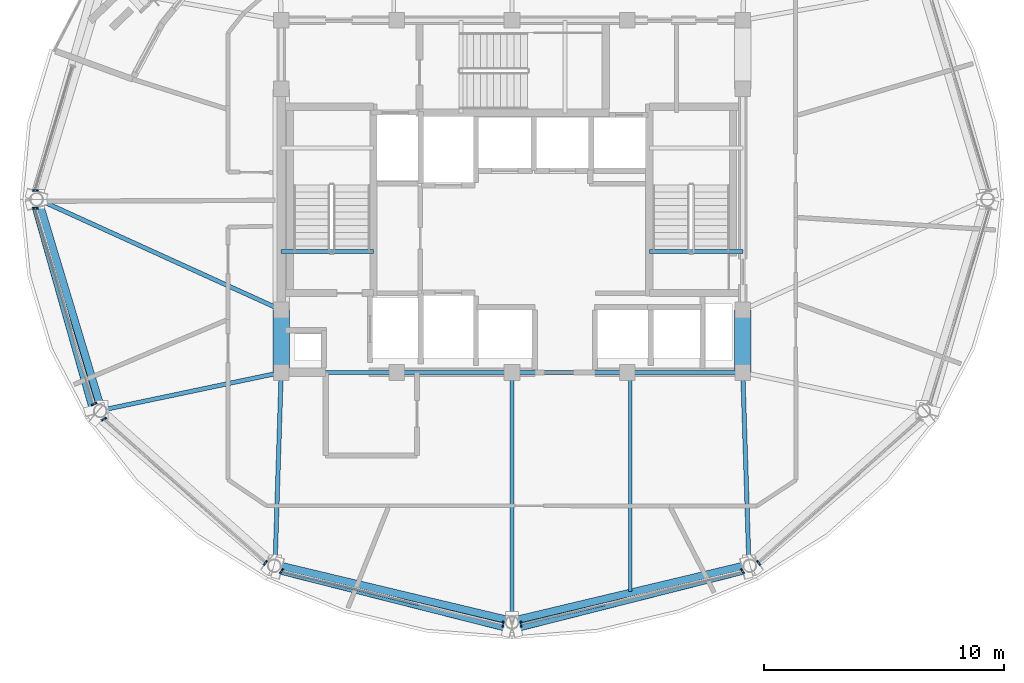
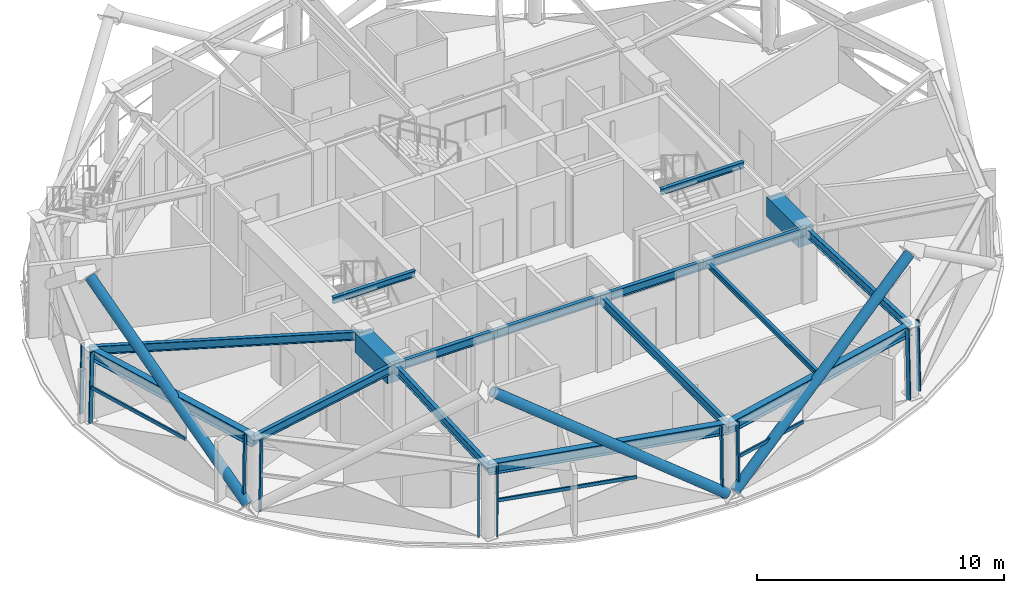
# One storey, part 2 of 16: 17 beams, 16 members, 6 elements without a shape of their own.
"""IFC4 building model written with IfcOpenShell, lengths in metres."""

from ifc_helpers import new_model, si_unit, direction, frame, origin, origin_2d, place, context, subcontext, project, spatial, rectangle, hollow_rectangle, hollow_circle, i_section, extrude, material, layer, layer_set, material_profile, profile_set, type_object, element, aggregate, save


model = new_model("IFC4")

# Units and contexts
model_context = context("Model", 3, precision=1e-05, world=origin(), true_north=direction((0.0, 1.0)))
body_context = subcontext(model_context, "Body", "Model", "MODEL_VIEW")
ifc_project = project(units=[si_unit("LENGTHUNIT", "METRE"), si_unit("AREAUNIT", "SQUARE_METRE"), si_unit("VOLUMEUNIT", "CUBIC_METRE"), si_unit("PLANEANGLEUNIT", "RADIAN"), si_unit("MASSUNIT", "GRAM", prefix="KILO")], contexts=[model_context])

# Site, building, storey
site_placement = place(None, origin())
site = spatial("IfcSite", under=ifc_project, at=site_placement, CompositionType="ELEMENT")
building_placement = place(site_placement, origin())
building = spatial("IfcBuilding", under=site, at=building_placement, Name="Vantalir Tower", CompositionType="ELEMENT")
storey_placement = place(building_placement, frame((0.0, 0.0, 267.60009765625)))
storey = spatial("IfcBuildingStorey", under=building, at=storey_placement, Name="L67", CompositionType="ELEMENT", Elevation=267.60009765625)

# Beams
ifc_material_1 = material(Name="Concrete C60/75", Category="concrete")
ifc_material_profile_1 = material_profile(ifc_material_1, rectangle(XDim=0.699951171875, YDim=0.949951171875, at=origin_2d()), Name="Concrete C60/75")
ifc_profile_set_1 = profile_set([ifc_material_profile_1], Name="Concrete C60/75")
beam_type_1 = type_object("IfcBeamType", Name="BM-CB-700x950", PredefinedType="USERDEFINED", material=ifc_profile_set_1)
for number, where, z_axis, x_axis, name in (
    (1, (41.10009765625, 17.800048828125, 3.094970703125), (0.0, 1.0, 0.0), (-1.0, 0.0, 0.0), "L67 Core Coupling Girder 05"),
    (2, (21.89990234375, 20.39990234375, 3.094970703125), (0.0, -1.0, 0.0), (1.0, 0.0, 0.0), "L67 Core Coupling Girder 14"),
):
    element("IfcBeam", number, at=place(storey_placement, frame(where, z_axis=z_axis, x_axis=x_axis)), inside=storey, type_object=beam_type_1, Name=name, ObjectType="GIRDER", PredefinedType="USERDEFINED", context=body_context, shape_type="SweptSolid", body=[
        extrude(rectangle(XDim=0.699951171875, YDim=0.949951171875, at=origin_2d()), origin(), (0.0, 0.0, 1.0), 2.599853515625),
    ])
ifc_material_2 = material(Name="Steel S355", Category="steel")
ifc_material_profile_2 = material_profile(ifc_material_2, i_section(OverallWidth=0.14599609375, OverallDepth=0.256103515625, WebThickness=0.00634765625, FlangeThickness=0.010986328125, at=origin_2d()), Name="Steel S355")
ifc_profile_set_2 = profile_set([ifc_material_profile_2], Name="Steel S355")
beam_type_2 = type_object("IfcBeamType", Name="BM-JS-254x146", PredefinedType="JOIST", material=ifc_profile_set_2)
beam_1_placement = place(storey_placement, frame((36.427001953125, 8.680908203125, 3.44189453125), z_axis=(0.0, 1.0, 0.0), x_axis=(-1.0, 0.0, 0.0)))
element("IfcBeam", 3, at=beam_1_placement, inside=storey, type_object=beam_type_2, Name="L67 Composite Trim Joist 02", PredefinedType="JOIST", context=body_context, shape_type="SweptSolid", body=[
    extrude(i_section(OverallWidth=0.14599609375, OverallDepth=0.256103515625, WebThickness=0.00634765625, FlangeThickness=0.010986328125, at=origin_2d()), origin(), (0.0, 0.0, 1.0), 9.073974609375),
])
ifc_material_profile_3 = material_profile(ifc_material_2, i_section(OverallWidth=0.166015625, OverallDepth=0.306884765625, WebThickness=0.006591796875, FlangeThickness=0.01171875, at=origin_2d()), Name="Steel S355")
ifc_profile_set_3 = profile_set([ifc_material_profile_3], Name="Steel S355")
beam_type_3 = type_object("IfcBeamType", Name="BM-JS-305x165", PredefinedType="JOIST", material=ifc_profile_set_3)
beam_2_placement = place(storey_placement, frame((21.89990234375, 22.8349609375, 3.595947265625), z_axis=(1.0, 0.0, 0.0), x_axis=(0.0, 1.0, 0.0)))
element("IfcBeam", 4, at=beam_2_placement, inside=storey, type_object=beam_type_3, Name="L68 Stair ST1 Well Nosing Trimmer Beam", PredefinedType="JOIST", context=body_context, shape_type="SweptSolid", body=[
    extrude(i_section(OverallWidth=0.166015625, OverallDepth=0.306884765625, WebThickness=0.006591796875, FlangeThickness=0.01171875, at=origin_2d()), origin(), (0.0, 0.0, 1.0), 3.840087890625),
])
beam_3_placement = place(storey_placement, frame((37.2099609375, 22.8349609375, 3.595947265625), z_axis=(1.0, 0.0, 0.0), x_axis=(0.0, 1.0, 0.0)))
element("IfcBeam", 5, at=beam_3_placement, inside=storey, type_object=beam_type_3, Name="L68 Stair ST2 Well Nosing Trimmer Beam", PredefinedType="JOIST", context=body_context, shape_type="SweptSolid", body=[
    extrude(i_section(OverallWidth=0.166015625, OverallDepth=0.306884765625, WebThickness=0.006591796875, FlangeThickness=0.01171875, at=origin_2d()), origin(), (0.0, 0.0, 1.0), 3.89013671875),
])
ifc_material_profile_4 = material_profile(ifc_material_2, i_section(OverallWidth=0.179931640625, OverallDepth=0.4130859375, WebThickness=0.009521484375, FlangeThickness=0.01611328125, at=origin_2d()), Name="Steel S355")
ifc_profile_set_4 = profile_set([ifc_material_profile_4], Name="Steel S355")
beam_type_4 = type_object("IfcBeamType", Name="BM-RB-406x178", PredefinedType="BEAM", material=ifc_profile_set_4)
for number, where, z_axis, x_axis, name in (
    (6, (21.89990234375, 17.800048828125, 3.364013671875), (1.0, 0.0, 0.0), (0.0, 1.0, 0.0), "L67 Core Coupling Girder 01"),
    (7, (26.699951171875, 17.800048828125, 3.364013671875), (1.0, 0.0, 0.0), (0.0, 1.0, 0.0), "L67 Core Coupling Girder 02"),
    (8, (31.5, 17.800048828125, 3.364013671875), (1.0, 0.0, 0.0), (0.0, 1.0, 0.0), "L67 Core Coupling Girder 03"),
    (9, (36.300048828125, 17.800048828125, 3.364013671875), (1.0, 0.0, 0.0), (0.0, 1.0, 0.0), "L67 Core Coupling Girder 04"),
):
    element("IfcBeam", number, at=place(storey_placement, frame(where, z_axis=z_axis, x_axis=x_axis)), inside=storey, type_object=beam_type_4, Name=name, PredefinedType="BEAM", context=body_context, shape_type="SweptSolid", body=[
        extrude(i_section(OverallWidth=0.179931640625, OverallDepth=0.4130859375, WebThickness=0.009521484375, FlangeThickness=0.01611328125, at=origin_2d()), origin(), (0.0, 0.0, 1.0), 4.800048828125),
    ])
beam_4_placement = place(storey_placement, frame((11.7900390625, 25.0, 3.364013671875), z_axis=(0.910206826308, -0.414153997134, 0.0), x_axis=(0.414153997134, 0.910206826308, 0.0)))
element("IfcBeam", 10, at=beam_4_placement, inside=storey, type_object=beam_type_4, Name="L67 Radial Floor Beam 07", PredefinedType="BEAM", context=body_context, shape_type="SweptSolid", body=[
    extrude(i_section(OverallWidth=0.179931640625, OverallDepth=0.4130859375, WebThickness=0.009521484375, FlangeThickness=0.01611328125, at=origin_2d()), origin(), (0.0, 0.0, 1.0), 11.107177734375),
])
beam_5_placement = place(storey_placement, frame((14.430908203125, 16.22998046875, 3.364013671875), z_axis=(0.978611850029, 0.205715451493, 0.0), x_axis=(-0.205715451493, 0.978611850029, 0.0)))
element("IfcBeam", 11, at=beam_5_placement, inside=storey, type_object=beam_type_4, Name="L67 Radial Floor Beam 08", PredefinedType="BEAM", context=body_context, shape_type="SweptSolid", body=[
    extrude(i_section(OverallWidth=0.179931640625, OverallDepth=0.4130859375, WebThickness=0.009521484375, FlangeThickness=0.01611328125, at=origin_2d()), origin(), (0.0, 0.0, 1.0), 7.63232421875),
])
beam_6_placement = place(storey_placement, frame((21.64501953125, 9.81103515625, 3.364013671875), z_axis=(0.031887940413, 0.999491450317, 0.0), x_axis=(-0.999491450317, 0.031887940413, 0.0)))
element("IfcBeam", 12, at=beam_6_placement, inside=storey, type_object=beam_type_4, Name="L67 Radial Floor Beam 09", PredefinedType="BEAM", context=body_context, shape_type="SweptSolid", body=[
    extrude(i_section(OverallWidth=0.179931640625, OverallDepth=0.4130859375, WebThickness=0.009521484375, FlangeThickness=0.01611328125, at=origin_2d()), origin(), (0.0, 0.0, 1.0), 7.9931640625),
])
beam_7_placement = place(storey_placement, frame((31.5, 7.4609375, 3.364013671875), z_axis=(0.0, 1.0, 0.0), x_axis=(-1.0, 0.0, 0.0)))
element("IfcBeam", 13, at=beam_7_placement, inside=storey, type_object=beam_type_4, Name="L67 Radial Floor Beam 10", PredefinedType="BEAM", context=body_context, shape_type="SweptSolid", body=[
    extrude(i_section(OverallWidth=0.179931640625, OverallDepth=0.4130859375, WebThickness=0.009521484375, FlangeThickness=0.01611328125, at=origin_2d()), origin(), (0.0, 0.0, 1.0), 10.339111328125),
])
beam_8_placement = place(storey_placement, frame((41.35498046875, 9.81103515625, 3.364013671875), z_axis=(-0.031887940413, 0.999491450317, 0.0), x_axis=(-0.999491450317, -0.031887940413, 0.0)))
element("IfcBeam", 14, at=beam_8_placement, inside=storey, type_object=beam_type_4, Name="L67 Radial Floor Beam 11", PredefinedType="BEAM", context=body_context, shape_type="SweptSolid", body=[
    extrude(i_section(OverallWidth=0.179931640625, OverallDepth=0.4130859375, WebThickness=0.009521484375, FlangeThickness=0.01611328125, at=origin_2d()), origin(), (0.0, 0.0, 1.0), 7.9931640625),
])
ifc_material_3 = material(Name="Steel S460", Category="steel")
ifc_material_profile_5 = material_profile(ifc_material_3, i_section(OverallWidth=0.31201171875, OverallDepth=0.5419921875, WebThickness=0.0126953125, FlangeThickness=0.020263671875, at=origin_2d()), Name="Steel S460")
ifc_profile_set_5 = profile_set([ifc_material_profile_5], Name="Steel S460")
beam_type_5 = type_object("IfcBeamType", Name="BM-RG-533x312", PredefinedType="USERDEFINED", material=ifc_profile_set_5)
beam_9_placement = place(storey_placement, frame((11.7900390625, 25.0, 3.298828125), z_axis=(0.288335708872, -0.957529382833, 0.0), x_axis=(0.957529382833, 0.288335708872, 0.0)))
element("IfcBeam", 15, at=beam_9_placement, inside=storey, type_object=beam_type_5, Name="L67 Circumferential Ring Girder 07", ObjectType="GIRDER", PredefinedType="USERDEFINED", context=body_context, shape_type="SweptSolid", body=[
    extrude(i_section(OverallWidth=0.31201171875, OverallDepth=0.5419921875, WebThickness=0.0126953125, FlangeThickness=0.020263671875, at=origin_2d()), origin(), (0.0, 0.0, 1.0), 9.158935546875),
])
for number, where, z_axis, x_axis, name in (
    (16, (21.64501953125, 9.81103515625, 3.298828125), (0.97272444979, -0.23196367125, 0.0), (0.23196367125, 0.97272444979, 0.0), "L67 Circumferential Ring Girder 09"),
    (17, (31.5, 7.4609375, 3.298828125), (0.97272444979, 0.23196367125, 0.0), (-0.23196367125, 0.97272444979, 0.0), "L67 Circumferential Ring Girder 10"),
):
    element("IfcBeam", number, at=place(storey_placement, frame(where, z_axis=z_axis, x_axis=x_axis)), inside=storey, type_object=beam_type_5, Name=name, ObjectType="GIRDER", PredefinedType="USERDEFINED", context=body_context, shape_type="SweptSolid", body=[
        extrude(i_section(OverallWidth=0.31201171875, OverallDepth=0.5419921875, WebThickness=0.0126953125, FlangeThickness=0.020263671875, at=origin_2d()), origin(), (0.0, 0.0, 1.0), 10.13134765625),
    ])

# Curtain wall, member
ifc_material_4 = material(Name="Champagne-silver PVDF aluminium and double-silver Low-E glass", Category="aluminium")
ifc_layer = layer(ifc_material_4, 0.219970703125)
ifc_layer_set = layer_set([ifc_layer], Name="Champagne-silver PVDF aluminium and double-silver Low-E glass")
curtain_wall_type = type_object("IfcCurtainWallType", Name="CW-DIAMOND-Z4", PredefinedType="USERDEFINED", material=ifc_layer_set)
curtain_wall_1_placement = place(storey_placement, origin())
curtain_wall_1 = element("IfcCurtainWall", 18, at=curtain_wall_1_placement, inside=storey, type_object=curtain_wall_type, Name="L67 Quilted Pyramid-Diamond Curtain Wall S06", ObjectType="UNITISED CURTAIN WALL", PredefinedType="USERDEFINED")
ifc_material_5 = material(Name="Champagne-silver PVDF aluminium 6063-T6", Category="aluminium")
ifc_material_profile_6 = material_profile(ifc_material_5, hollow_rectangle(XDim=0.070068359375, YDim=0.1650390625, WallThickness=0.00390625, at=origin_2d()), Name="Champagne-silver PVDF aluminium 6063-T6")
ifc_profile_set_6 = profile_set([ifc_material_profile_6], Name="Champagne-silver PVDF aluminium 6063-T6")
member_type_1 = type_object("IfcMemberType", Name="CWM-165x70", PredefinedType="MULLION", material=ifc_profile_set_6)
member_1_placement = place(storey_placement, frame((11.632080078125, 25.373046875, 0.044921875), z_axis=(0.022934894496, 0.0, 0.999736960712), x_axis=(0.0, 1.0, 0.0)))
member_1 = element("IfcMember", 19, at=member_1_placement, type_object=member_type_1, Name="CW-L67-S06 Mullion 2", PredefinedType="MULLION", context=body_context, shape_type="SweptSolid", body=[
    extrude(hollow_rectangle(XDim=0.070068359375, YDim=0.1650390625, WallThickness=0.00390625, at=origin_2d()), origin(), (0.0, 0.0, 1.0), 3.48095703125),
])
aggregate(curtain_wall_1, [member_1])

# Curtain wall, members
curtain_wall_2_placement = place(storey_placement, origin())
curtain_wall_2 = element("IfcCurtainWall", 20, at=curtain_wall_2_placement, inside=storey, type_object=curtain_wall_type, Name="L67 Quilted Pyramid-Diamond Curtain Wall S07", ObjectType="UNITISED CURTAIN WALL", PredefinedType="USERDEFINED")
member_2_placement = place(storey_placement, frame((11.632080078125, 24.626953125, 0.044921875), z_axis=(0.022934894496, 0.0, 0.999736960712), x_axis=(0.0, 1.0, 0.0)))
member_2 = element("IfcMember", 21, at=member_2_placement, type_object=member_type_1, Name="CW-L67-S07 Mullion 1", PredefinedType="MULLION", context=body_context, shape_type="SweptSolid", body=[
    extrude(hollow_rectangle(XDim=0.070068359375, YDim=0.1650390625, WallThickness=0.00390625, at=origin_2d()), origin(), (0.0, 0.0, 1.0), 3.48095703125),
])
member_3_placement = place(storey_placement, frame((14.0849609375, 16.471923828125, 0.044921875), z_axis=(0.01984909463, 0.010380445248, 0.999749098424), x_axis=(-0.463421877407, 0.886137779096, 0.0)))
member_3 = element("IfcMember", 22, at=member_3_placement, type_object=member_type_1, Name="CW-L67-S07 Mullion 2", PredefinedType="MULLION", context=body_context, shape_type="SweptSolid", body=[
    extrude(hollow_rectangle(XDim=0.070068359375, YDim=0.1650390625, WallThickness=0.00390625, at=origin_2d()), origin(), (0.0, 0.0, 1.0), 3.48095703125),
])

curtain_wall_3_placement = place(storey_placement, origin())
curtain_wall_3 = element("IfcCurtainWall", 23, at=curtain_wall_3_placement, inside=storey, type_object=curtain_wall_type, Name="L67 Quilted Pyramid-Diamond Curtain Wall S08", ObjectType="UNITISED CURTAIN WALL", PredefinedType="USERDEFINED")
member_4_placement = place(storey_placement, frame((14.488037109375, 15.840087890625, 0.044921875), z_axis=(0.019778998325, 0.010310328914, 0.999751213224), x_axis=(-0.462243581644, 0.886752993358, 0.0)))
member_4 = element("IfcMember", 24, at=member_4_placement, type_object=member_type_1, Name="CW-L67-S08 Mullion 1", PredefinedType="MULLION", context=body_context, shape_type="SweptSolid", body=[
    extrude(hollow_rectangle(XDim=0.070068359375, YDim=0.1650390625, WallThickness=0.00390625, at=origin_2d()), origin(), (0.0, 0.0, 1.0), 3.48095703125),
])
member_5_placement = place(storey_placement, frame((21.218994140625, 9.843017578125, 0.044921875), z_axis=(0.011502954924, 0.017815552138, 0.999775118779), x_axis=(-0.840102178973, 0.54242817855, 0.0)))
member_5 = element("IfcMember", 25, at=member_5_placement, type_object=member_type_1, Name="CW-L67-S08 Mullion 2", PredefinedType="MULLION", context=body_context, shape_type="SweptSolid", body=[
    extrude(hollow_rectangle(XDim=0.070068359375, YDim=0.1650390625, WallThickness=0.00390625, at=origin_2d()), origin(), (0.0, 0.0, 1.0), 3.480712890625),
])
aggregate(curtain_wall_3, [member_4, member_5])

curtain_wall_4_placement = place(storey_placement, origin())
curtain_wall_4 = element("IfcCurtainWall", 26, at=curtain_wall_4_placement, inside=storey, type_object=curtain_wall_type, Name="L67 Quilted Pyramid-Diamond Curtain Wall S09", ObjectType="UNITISED CURTAIN WALL", PredefinedType="USERDEFINED")
member_6_placement = place(storey_placement, frame((21.888916015625, 9.492919921875, 0.044921875), z_axis=(0.011502954924, 0.017815552138, 0.999775118779), x_axis=(-0.840102178973, 0.54242817855, 0.0)))
member_6 = element("IfcMember", 27, at=member_6_placement, type_object=member_type_1, Name="CW-L67-S09 Mullion 1", PredefinedType="MULLION", context=body_context, shape_type="SweptSolid", body=[
    extrude(hollow_rectangle(XDim=0.070068359375, YDim=0.1650390625, WallThickness=0.00390625, at=origin_2d()), origin(), (0.0, 0.0, 1.0), 3.480712890625),
])
member_7_placement = place(storey_placement, frame((31.12109375, 7.2900390625, 0.044921875), z_axis=(0.0, 0.020691514155, 0.999785907703), x_axis=(-1.0, 0.0, 0.0)))
member_7 = element("IfcMember", 28, at=member_7_placement, type_object=member_type_1, Name="CW-L67-S09 Mullion 2", PredefinedType="MULLION", context=body_context, shape_type="SweptSolid", body=[
    extrude(hollow_rectangle(XDim=0.070068359375, YDim=0.1650390625, WallThickness=0.00390625, at=origin_2d()), origin(), (0.0, 0.0, 1.0), 3.480712890625),
])

curtain_wall_5_placement = place(storey_placement, origin())
curtain_wall_5 = element("IfcCurtainWall", 29, at=curtain_wall_5_placement, inside=storey, type_object=curtain_wall_type, Name="L67 Quilted Pyramid-Diamond Curtain Wall S10", ObjectType="UNITISED CURTAIN WALL", PredefinedType="USERDEFINED")
member_8_placement = place(storey_placement, frame((31.87890625, 7.2900390625, 0.044921875), z_axis=(0.0, 0.020691514155, 0.999785907703), x_axis=(-1.0, 0.0, 0.0)))
member_8 = element("IfcMember", 30, at=member_8_placement, type_object=member_type_1, Name="CW-L67-S10 Mullion 1", PredefinedType="MULLION", context=body_context, shape_type="SweptSolid", body=[
    extrude(hollow_rectangle(XDim=0.070068359375, YDim=0.1650390625, WallThickness=0.00390625, at=origin_2d()), origin(), (0.0, 0.0, 1.0), 3.480712890625),
])
member_9_placement = place(storey_placement, frame((41.111083984375, 9.492919921875, 0.044921875), z_axis=(-0.011502954924, 0.017815552138, 0.999775118779), x_axis=(-0.840102178973, -0.54242817855, 0.0)))
member_9 = element("IfcMember", 31, at=member_9_placement, type_object=member_type_1, Name="CW-L67-S10 Mullion 2", PredefinedType="MULLION", context=body_context, shape_type="SweptSolid", body=[
    extrude(hollow_rectangle(XDim=0.070068359375, YDim=0.1650390625, WallThickness=0.00390625, at=origin_2d()), origin(), (0.0, 0.0, 1.0), 3.480712890625),
])

# Curtain wall, member
curtain_wall_6_placement = place(storey_placement, origin())
curtain_wall_6 = element("IfcCurtainWall", 32, at=curtain_wall_6_placement, inside=storey, type_object=curtain_wall_type, Name="L67 Quilted Pyramid-Diamond Curtain Wall S11", ObjectType="UNITISED CURTAIN WALL", PredefinedType="USERDEFINED")
member_10_placement = place(storey_placement, frame((41.781005859375, 9.843017578125, 0.044921875), z_axis=(-0.011502954924, 0.017815552138, 0.999775118779), x_axis=(-0.840102178973, -0.54242817855, 0.0)))
member_10 = element("IfcMember", 33, at=member_10_placement, type_object=member_type_1, Name="CW-L67-S11 Mullion 1", PredefinedType="MULLION", context=body_context, shape_type="SweptSolid", body=[
    extrude(hollow_rectangle(XDim=0.070068359375, YDim=0.1650390625, WallThickness=0.00390625, at=origin_2d()), origin(), (0.0, 0.0, 1.0), 3.480712890625),
])
aggregate(curtain_wall_6, [member_10])

# Member
ifc_material_profile_7 = material_profile(ifc_material_5, hollow_rectangle(XDim=0.074951171875, YDim=0.159912109375, WallThickness=0.00390625, at=origin_2d()), Name="Champagne-silver PVDF aluminium 6063-T6")
ifc_profile_set_7 = profile_set([ifc_material_profile_7], Name="Champagne-silver PVDF aluminium 6063-T6")
member_type_2 = type_object("IfcMemberType", Name="CWT-160x75", PredefinedType="USERDEFINED", material=ifc_profile_set_7)
member_11_placement = place(storey_placement, frame((11.672119140625, 24.626953125, 1.784912109375), z_axis=(0.283566020881, -0.958952716145, 0.0), x_axis=(0.958952716145, 0.283566020881, 0.0)))
member_11 = element("IfcMember", 34, at=member_11_placement, type_object=member_type_2, Name="CW-L67-S07 Pyramid Fold Ridge Transom", ObjectType="TRANSOM", PredefinedType="USERDEFINED", context=body_context, shape_type="SweptSolid", body=[
    extrude(hollow_rectangle(XDim=0.074951171875, YDim=0.159912109375, WallThickness=0.00390625, at=origin_2d()), origin(), (0.0, 0.0, 1.0), 5.268310546875),
])

aggregate(curtain_wall_2, [member_2, member_3, member_11])

member_12_placement = place(storey_placement, frame((21.908935546875, 9.52392578125, 1.784912109375), z_axis=(0.971744713119, -0.236034346071, 0.0), x_axis=(0.236034346071, 0.971744713119, 0.0)))
member_12 = element("IfcMember", 35, at=member_12_placement, type_object=member_type_2, Name="CW-L67-S09 Pyramid Fold Ridge Transom", ObjectType="TRANSOM", PredefinedType="USERDEFINED", context=body_context, shape_type="SweptSolid", body=[
    extrude(hollow_rectangle(XDim=0.074951171875, YDim=0.159912109375, WallThickness=0.00390625, at=origin_2d()), origin(), (0.0, 0.0, 1.0), 5.8720703125),
])

aggregate(curtain_wall_4, [member_6, member_7, member_12])

member_13_placement = place(storey_placement, frame((31.87890625, 7.325927734375, 1.784912109375), z_axis=(0.974213677262, 0.225627372089, 0.0), x_axis=(-0.225627372089, 0.974213677262, 0.0)))
member_13 = element("IfcMember", 36, at=member_13_placement, type_object=member_type_2, Name="CW-L67-S10 Pyramid Fold Ridge Transom", ObjectType="TRANSOM", PredefinedType="USERDEFINED", context=body_context, shape_type="SweptSolid", body=[
    extrude(hollow_rectangle(XDim=0.074951171875, YDim=0.159912109375, WallThickness=0.00390625, at=origin_2d()), origin(), (0.0, 0.0, 1.0), 3.598876953125),
])

aggregate(curtain_wall_5, [member_8, member_9, member_13])

# Members
ifc_material_profile_8 = material_profile(ifc_material_3, hollow_circle(Radius=0.22998046875, WallThickness=0.028076171875, at=origin_2d()), Name="Steel S460")
ifc_profile_set_8 = profile_set([ifc_material_profile_8], Name="Steel S460")
member_type_3 = type_object("IfcMemberType", Name="MEM-DB-460x28", PredefinedType="BRACE", material=ifc_profile_set_8)
member_14_placement = place(storey_placement, frame((14.14990234375, 16.26611328125, 0.21484375), z_axis=(-0.215217222754, 0.760980687873, 0.612037531295), x_axis=(-0.962257276597, -0.272141385379, 0.0)))
element("IfcMember", 37, at=member_14_placement, inside=storey, type_object=member_type_3, Name="L67 Perimeter S460 Diagrid Brace R22R", PredefinedType="BRACE", context=body_context, shape_type="SweptSolid", body=[
    extrude(hollow_circle(Radius=0.22998046875, WallThickness=0.028076171875, at=origin_2d()), origin(), (0.0, 0.0, 1.0), 11.2578125),
])
for number, where, z_axis, x_axis, name in (
    (38, (31.675048828125, 7.242919921875, 0.205810546875), (0.793974625356, 0.201078869188, 0.573734766819), (-0.245505207396, 0.969395271879, 0.0), "L67 Perimeter S460 Diagrid Brace R28L"),
    (39, (31.324951171875, 7.242919921875, 0.205810546875), (-0.793974625356, 0.201078869188, 0.573734766819), (-0.245505207396, -0.969395271879, 0.0), "L67 Perimeter S460 Diagrid Brace R28R"),
):
    element("IfcMember", number, at=place(storey_placement, frame(where, z_axis=z_axis, x_axis=x_axis)), inside=storey, type_object=member_type_3, Name=name, PredefinedType="BRACE", context=body_context, shape_type="SweptSolid", body=[
        extrude(hollow_circle(Radius=0.22998046875, WallThickness=0.028076171875, at=origin_2d()), origin(), (0.0, 0.0, 1.0), 12.040771484375),
    ])

save(model, "model.ifc")
